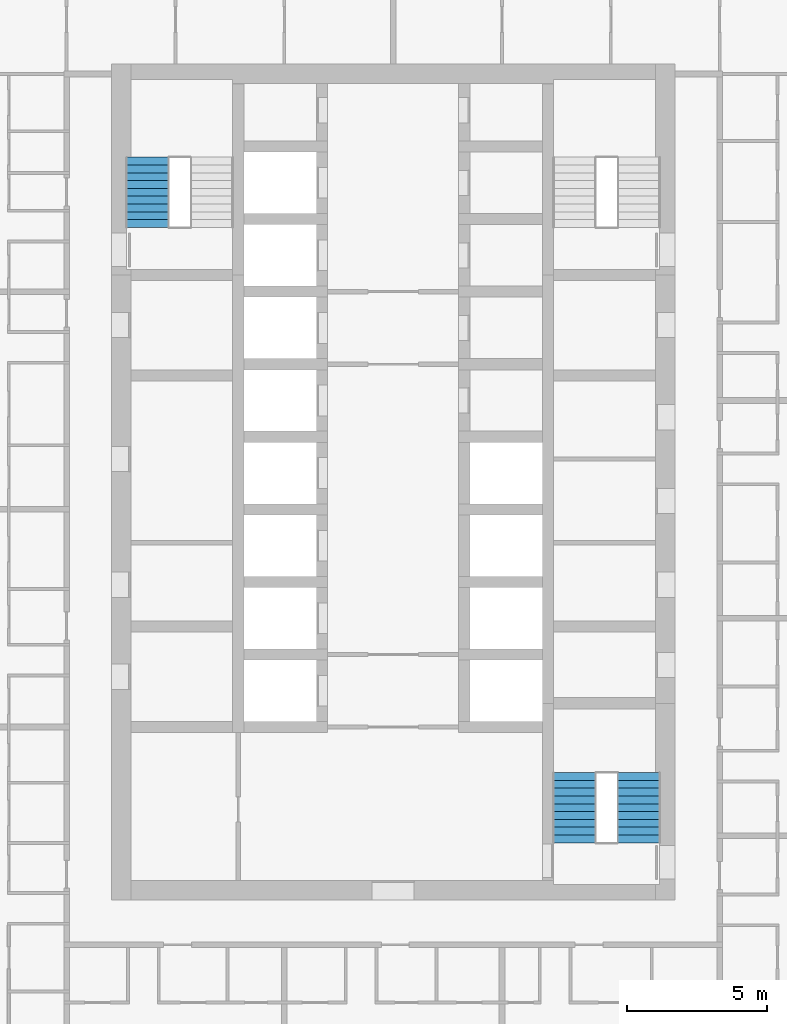
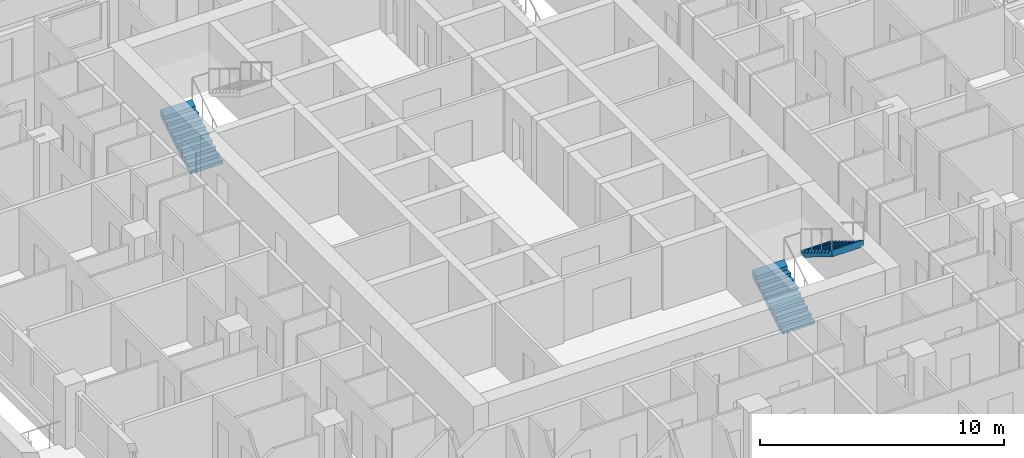
# One storey, part 15 of 19: 3 stair flights, 2 elements without a shape of their own.
"""IFC4 building model written with IfcOpenShell, lengths in metres."""

import ifcopenshell
import ifcopenshell.guid

model = None  # the IFC model being written
_history = None  # IfcOwnerHistory: only IFC2X3 demands one
_inside = {}  # id of a spatial element -> (the spatial element, [elements in it])
_under = {}  # id of a project, library or spatial element -> (it, [spatial elements below it])
_declared = {}  # id of a project -> (the project, [libraries it declares])
_typed = {}  # id of a type object -> (the type object, [elements of that type])
_made_of = {}  # id of a material, layer set ... -> (it, [elements and type objects made of it])


def new_model(schema):
    """Start an empty IFC model of exactly this schema.

    Asked for "IFC4X3", IfcOpenShell would pick the latest addendum, in which some entities
    have other attributes; the version numbers below select the first issue.
    IFC2X3 requires an IfcOwnerHistory on every rooted entity: one is made here for all.
    """
    global model, _history
    if schema == "IFC4X3":
        model = ifcopenshell.file(schema_version=(4, 3, 0, 0))
    else:
        model = ifcopenshell.file(schema=schema)
    _inside.clear()
    _under.clear()
    _declared.clear()
    _typed.clear()
    _made_of.clear()
    _history = None
    if model.schema == "IFC2X3":
        org = make("IfcOrganization", Name="unknown")
        user = make(
            "IfcPersonAndOrganization",
            ThePerson=make("IfcPerson", FamilyName="unknown"),
            TheOrganization=org,
        )
        app = make(
            "IfcApplication",
            ApplicationDeveloper=org,
            Version="unknown",
            ApplicationFullName="unknown",
            ApplicationIdentifier="unknown",
        )
        _history = make(
            "IfcOwnerHistory",
            OwningUser=user,
            OwningApplication=app,
            ChangeAction="ADDED",
            CreationDate=0,
        )
    return model


def make(cls, **values):
    """One entity of the class cls with the attributes given. An attribute that is None is left unset."""
    return model.create_entity(
        cls, **{name: value for name, value in values.items() if value is not None}
    )


def rooted(cls, **values):
    """An entity with a GlobalId (a new one), such as an element, a storey or a relation."""
    return make(cls, GlobalId=ifcopenshell.guid.new(), OwnerHistory=_history, **values)


def si_unit(unit_type, name, prefix=None):
    """IfcSIUnit, for example si_unit("LENGTHUNIT", "METRE", prefix="MILLI")."""
    return make("IfcSIUnit", UnitType=unit_type, Prefix=prefix, Name=name)


def assignment(units):
    """IfcUnitAssignment: the units of a project."""
    return None if units is None else make("IfcUnitAssignment", Units=units)


def point(xyz):
    """IfcCartesianPoint."""
    return None if xyz is None else make("IfcCartesianPoint", Coordinates=xyz)


def direction(xyz):
    """IfcDirection."""
    return None if xyz is None else make("IfcDirection", DirectionRatios=xyz)


def frame(location, z_axis=None, x_axis=None):
    """IfcAxis2Placement3D, a coordinate frame: its origin and axes. An axis left out is left unset."""
    return make(
        "IfcAxis2Placement3D",
        Location=point(location),
        Axis=direction(z_axis),
        RefDirection=direction(x_axis),
    )


def origin():
    """The frame at (0, 0, 0) with its axes left unset."""
    return frame((0.0, 0.0, 0.0))


def place(relative_to, where):
    """IfcLocalPlacement: puts the frame where relative to a parent placement (None: the world)."""
    return make(
        "IfcLocalPlacement", PlacementRelTo=relative_to, RelativePlacement=where
    )


def context(
    kind, dimensions, precision=None, world=None, true_north=None, identifier=None
):
    """IfcGeometricRepresentationContext, for example the 3D "Model" context."""
    return make(
        "IfcGeometricRepresentationContext",
        ContextIdentifier=identifier,
        ContextType=kind,
        CoordinateSpaceDimension=dimensions,
        Precision=precision,
        WorldCoordinateSystem=world,
        TrueNorth=true_north,
    )


def subcontext(parent, identifier, kind, view, scale=None):
    """IfcGeometricRepresentationSubContext, for example "Body" below "Model"."""
    return make(
        "IfcGeometricRepresentationSubContext",
        ContextIdentifier=identifier,
        ContextType=kind,
        ParentContext=parent,
        TargetScale=scale,
        TargetView=view,
    )


def project(units=None, contexts=None):
    """IfcProject with its units and contexts."""
    return rooted(
        "IfcProject",
        Name="project",
        RepresentationContexts=contexts,
        UnitsInContext=assignment(units),
    )


def spatial(cls, under=None, at=None, **own):
    """A site, building, storey or space (cls), placed at a placement, below another one or the project."""
    s = rooted(cls, ObjectPlacement=at, **own)
    if under is not None:
        _under.setdefault(under.id(), (under, []))[1].append(s)
    return s


def point_list(points):
    """IfcCartesianPointList2D or 3D."""
    cls = (
        "IfcCartesianPointList2D" if len(points[0]) == 2 else "IfcCartesianPointList3D"
    )
    return make(cls, CoordList=points)


def triangles(points, corners, closed=None, point_numbers=None):
    """IfcTriangulatedFaceSet: each triangle names its three corners, points numbered from 1."""
    return make(
        "IfcTriangulatedFaceSet",
        Coordinates=point_list(points),
        Closed=closed,
        CoordIndex=corners,
        PnIndex=point_numbers,
    )


def shape(context_of_items, identifier, shape_type, items):
    """IfcShapeRepresentation: the items that make up one representation, for example the "Body"."""
    return make(
        "IfcShapeRepresentation",
        ContextOfItems=context_of_items,
        RepresentationIdentifier=identifier,
        RepresentationType=shape_type,
        Items=items,
    )


def material(Name=None, Category=None):
    """IfcMaterial."""
    return make("IfcMaterial", Name=Name, Category=Category)


def made_of(thing, what):
    """Note that an element or type object is made of a material, layer set ...; save() writes the relation."""
    if what is not None:
        _made_of.setdefault(what.id(), (what, []))[1].append(thing)
    return thing


def type_object(cls, material=None, **own):
    """A type object (cls), such as IfcWallType, which elements share."""
    return made_of(rooted(cls, **own), material)


def element(
    cls,
    number,
    at=None,
    inside=None,
    cuts=None,
    type_object=None,
    material=None,
    context=None,
    identifier="Body",
    shape_type=None,
    held_by="IfcProductDefinitionShape",
    body=None,
    shapes=None,
    **own,
):
    """One element of the class cls, such as IfcWall. Its Tag is "e" and its number.

    at: its placement. inside: the storey or other place that contains it. cuts: it is an
    opening in that element (IfcRelVoidsElement). A single representation is given by context,
    identifier, shape_type and body (its items); several are given by shapes. held_by: the class
    of the entity that holds the representations. save() writes the other relations.
    """
    e = rooted(cls, Tag="e%d" % number, ObjectPlacement=at, **own)
    if body is not None:
        shapes = [shape(context, identifier, shape_type, body)]
    if shapes is not None:
        e.Representation = make(held_by, Representations=shapes)
    if inside is not None:
        _inside.setdefault(inside.id(), (inside, []))[1].append(e)
    if cuts is not None:
        rooted(
            "IfcRelVoidsElement", RelatingBuildingElement=cuts, RelatedOpeningElement=e
        )
    if type_object is not None:
        _typed.setdefault(type_object.id(), (type_object, []))[1].append(e)
    return made_of(e, material)


def aggregate(whole, parts):
    """IfcRelAggregates: a whole, such as a stair, and the parts it consists of."""
    return rooted("IfcRelAggregates", RelatingObject=whole, RelatedObjects=parts)


def save(model, path):
    """Write the relations noted so far, then the file.

    IfcRelAggregates (storeys below a building ...), IfcRelContainedInSpatialStructure (elements
    in a storey), IfcRelDefinesByType, IfcRelAssociatesMaterial and IfcRelDeclares: one each for
    every whole, place, type object, material and project.
    """
    for whole, parts in _under.values():
        aggregate(whole, parts)
    for where, things in _inside.values():
        rooted(
            "IfcRelContainedInSpatialStructure",
            RelatedElements=things,
            RelatingStructure=where,
        )
    for kind, things in _typed.values():
        rooted("IfcRelDefinesByType", RelatedObjects=things, RelatingType=kind)
    for what, things in _made_of.values():
        rooted("IfcRelAssociatesMaterial", RelatedObjects=things, RelatingMaterial=what)
    for by, libraries in _declared.values():
        rooted("IfcRelDeclares", RelatingContext=by, RelatedDefinitions=libraries)
    model.write(path)


model = new_model("IFC4")

# Units and contexts
model_context = context("Model", 3, precision=1e-05, world=origin(), true_north=direction((0.0, 1.0)))
body_context = subcontext(model_context, "Body", "Model", "MODEL_VIEW")
ifc_project = project(units=[si_unit("LENGTHUNIT", "METRE"), si_unit("AREAUNIT", "SQUARE_METRE"), si_unit("VOLUMEUNIT", "CUBIC_METRE"), si_unit("PLANEANGLEUNIT", "RADIAN"), si_unit("MASSUNIT", "GRAM", prefix="KILO")], contexts=[model_context])

# Site, building, storey
site_placement = place(None, origin())
site = spatial("IfcSite", under=ifc_project, at=site_placement, CompositionType="ELEMENT")
building_placement = place(site_placement, origin())
building = spatial("IfcBuilding", under=site, at=building_placement, Name="Ludao Terraces", CompositionType="ELEMENT")
storey_placement = place(building_placement, frame((0.0, 0.0, 68.199951171875)))
storey = spatial("IfcBuildingStorey", under=building, at=storey_placement, Name="L18", CompositionType="ELEMENT", Elevation=68.199951171875)

# Stair, stair flight
ifc_material = material(Name="Concrete C40", Category="concrete")
stair_type = type_object("IfcStairType", Name="INT Stair", PredefinedType="HALF_TURN_STAIR", material=ifc_material)
stair_1_placement = place(storey_placement, origin())
stair_1 = element("IfcStair", 1, at=stair_1_placement, inside=storey, type_object=stair_type, Name="EXIT STAIR 1", PredefinedType="HALF_TURN_STAIR")
stair_flight_type = type_object("IfcStairFlightType", Name="INT Stair flight", PredefinedType="STRAIGHT", material=ifc_material)
stair_flight_1_placement = place(storey_placement, frame((76.199951171875, 79.0, 0.0), z_axis=(0.0, 0.0, 1.0), x_axis=(0.0, 1.0, 0.0)))
stair_flight_1 = element("IfcStairFlight", 2, at=stair_flight_1_placement, type_object=stair_flight_type, Name="ST1 flight 1", NumberOfRisers=10, NumberOfTreads=9, PredefinedType="STRAIGHT", RiserHeight=0.17, TreadLength=0.28, context=body_context, shape_type="Tessellation", body=[
    triangles([(0.0, -0.75, 0.0), (0.0, -0.5, 0.0), (0.0, -0.25, 0.0), (0.0, 0.0, 0.0), (0.0, 0.25, 0.0), (0.0, 0.5, 0.0), (0.0, 0.75, 0.0), (0.0, -0.75, 0.169921875), (0.0, -0.5, 0.169921875), (0.0, -0.25, 0.169921875), (0.0, 0.0, 0.169921875), (0.0, 0.25, 0.169921875), (0.0, 0.5, 0.169921875), (0.0, 0.75, 0.169921875), (0.280029296875, -0.75, 0.169921875), (0.280029296875, -0.5, 0.169921875), (0.280029296875, -0.25, 0.169921875), (0.280029296875, 0.0, 0.169921875), (0.280029296875, 0.25, 0.169921875), (0.280029296875, 0.5, 0.169921875), (0.280029296875, 0.75, 0.169921875), (0.280029296875, -0.75, 0.340087890625), (0.280029296875, -0.5, 0.340087890625), (0.280029296875, -0.25, 0.340087890625), (0.280029296875, 0.0, 0.340087890625), (0.280029296875, 0.25, 0.340087890625), (0.280029296875, 0.5, 0.340087890625), (0.280029296875, 0.75, 0.340087890625), (0.56005859375, -0.75, 0.340087890625), (0.56005859375, -0.5, 0.340087890625), (0.56005859375, -0.25, 0.340087890625), (0.56005859375, 0.0, 0.340087890625), (0.56005859375, 0.25, 0.340087890625), (0.56005859375, 0.5, 0.340087890625), (0.56005859375, 0.75, 0.340087890625), (0.56005859375, -0.75, 0.510009765625), (0.56005859375, -0.5, 0.510009765625), (0.56005859375, -0.25, 0.510009765625), (0.56005859375, 0.0, 0.510009765625), (0.56005859375, 0.25, 0.510009765625), (0.56005859375, 0.5, 0.510009765625), (0.56005859375, 0.75, 0.510009765625), (0.840087890625, -0.75, 0.510009765625), (0.840087890625, -0.5, 0.510009765625), (0.840087890625, -0.25, 0.510009765625), (0.840087890625, 0.0, 0.510009765625), (0.840087890625, 0.25, 0.510009765625), (0.840087890625, 0.5, 0.510009765625), (0.840087890625, 0.75, 0.510009765625), (0.840087890625, -0.75, 0.679931640625), (0.840087890625, -0.5, 0.679931640625), (0.840087890625, -0.25, 0.679931640625), (0.840087890625, 0.0, 0.679931640625), (0.840087890625, 0.25, 0.679931640625), (0.840087890625, 0.5, 0.679931640625), (0.840087890625, 0.75, 0.679931640625), (1.1201171875, -0.75, 0.679931640625), (1.1201171875, -0.5, 0.679931640625), (1.1201171875, -0.25, 0.679931640625), (1.1201171875, 0.0, 0.679931640625), (1.1201171875, 0.25, 0.679931640625), (1.1201171875, 0.5, 0.679931640625), (1.1201171875, 0.75, 0.679931640625), (1.1201171875, -0.75, 0.85009765625), (1.1201171875, -0.5, 0.85009765625), (1.1201171875, -0.25, 0.85009765625), (1.1201171875, 0.0, 0.85009765625), (1.1201171875, 0.25, 0.85009765625), (1.1201171875, 0.5, 0.85009765625), (1.1201171875, 0.75, 0.85009765625), (1.39990234375, -0.75, 0.85009765625), (1.39990234375, -0.5, 0.85009765625), (1.39990234375, -0.25, 0.85009765625), (1.39990234375, 0.0, 0.85009765625), (1.39990234375, 0.25, 0.85009765625), (1.39990234375, 0.5, 0.85009765625), (1.39990234375, 0.75, 0.85009765625), (1.39990234375, -0.75, 1.02001953125), (1.39990234375, -0.5, 1.02001953125), (1.39990234375, -0.25, 1.02001953125), (1.39990234375, 0.0, 1.02001953125), (1.39990234375, 0.25, 1.02001953125), (1.39990234375, 0.5, 1.02001953125), (1.39990234375, 0.75, 1.02001953125), (1.679931640625, -0.75, 1.02001953125), (1.679931640625, -0.5, 1.02001953125), (1.679931640625, -0.25, 1.02001953125), (1.679931640625, 0.0, 1.02001953125), (1.679931640625, 0.25, 1.02001953125), (1.679931640625, 0.5, 1.02001953125), (1.679931640625, 0.75, 1.02001953125), (1.679931640625, -0.75, 1.18994140625), (1.679931640625, -0.5, 1.18994140625), (1.679931640625, -0.25, 1.18994140625), (1.679931640625, 0.0, 1.18994140625), (1.679931640625, 0.25, 1.18994140625), (1.679931640625, 0.5, 1.18994140625), (1.679931640625, 0.75, 1.18994140625), (1.9599609375, -0.75, 1.18994140625), (1.9599609375, -0.5, 1.18994140625), (1.9599609375, -0.25, 1.18994140625), (1.9599609375, 0.0, 1.18994140625), (1.9599609375, 0.25, 1.18994140625), (1.9599609375, 0.5, 1.18994140625), (1.9599609375, 0.75, 1.18994140625), (1.9599609375, -0.75, 1.360107421875), (1.9599609375, -0.5, 1.360107421875), (1.9599609375, -0.25, 1.360107421875), (1.9599609375, 0.0, 1.360107421875), (1.9599609375, 0.25, 1.360107421875), (1.9599609375, 0.5, 1.360107421875), (1.9599609375, 0.75, 1.360107421875), (2.239990234375, -0.75, 1.360107421875), (2.239990234375, -0.5, 1.360107421875), (2.239990234375, -0.25, 1.360107421875), (2.239990234375, 0.0, 1.360107421875), (2.239990234375, 0.25, 1.360107421875), (2.239990234375, 0.5, 1.360107421875), (2.239990234375, 0.75, 1.360107421875), (2.239990234375, -0.75, 1.530029296875), (2.239990234375, -0.5, 1.530029296875), (2.239990234375, -0.25, 1.530029296875), (2.239990234375, 0.0, 1.530029296875), (2.239990234375, 0.25, 1.530029296875), (2.239990234375, 0.5, 1.530029296875), (2.239990234375, 0.75, 1.530029296875), (2.52001953125, -0.75, 1.699951171875), (2.52001953125, -0.5, 1.699951171875), (2.52001953125, -0.25, 1.699951171875), (2.52001953125, 0.0, 1.699951171875), (2.52001953125, 0.25, 1.699951171875), (2.52001953125, 0.5, 1.699951171875), (2.52001953125, 0.75, 1.699951171875), (2.52001953125, -0.75, 1.354736328125), (2.52001953125, -0.5, 1.354736328125), (2.52001953125, -0.25, 1.354736328125), (2.52001953125, 0.0, 1.354736328125), (2.52001953125, 0.25, 1.354736328125), (2.52001953125, 0.5, 1.354736328125), (2.52001953125, 0.75, 1.354736328125), (0.288818359375, -0.75, 0.0), (0.288818359375, -0.5, 0.0), (0.288818359375, -0.25, 0.0), (0.288818359375, 0.0, 0.0), (0.288818359375, 0.25, 0.0), (0.288818359375, 0.5, 0.0), (0.288818359375, 0.75, 0.0)], [[1, 141, 134], [7, 140, 147], [134, 127, 120], [140, 126, 133], [134, 120, 113], [140, 119, 126], [134, 113, 106], [140, 112, 119], [134, 106, 99], [140, 105, 112], [99, 92, 85], [105, 91, 98], [134, 99, 85], [140, 91, 105], [85, 78, 71], [91, 77, 84], [134, 85, 71], [140, 77, 91], [71, 64, 57], [77, 63, 70], [134, 71, 57], [140, 63, 77], [57, 50, 43], [63, 49, 56], [134, 57, 43], [140, 49, 63], [43, 36, 29], [49, 35, 42], [134, 43, 29], [140, 35, 49], [29, 22, 15], [35, 21, 28], [134, 29, 15], [140, 21, 35], [1, 134, 15], [7, 21, 140], [15, 8, 1], [21, 7, 14], [1, 9, 2], [1, 8, 9], [2, 10, 3], [2, 9, 10], [3, 11, 4], [3, 10, 11], [4, 12, 5], [4, 11, 12], [5, 13, 6], [5, 12, 13], [6, 14, 7], [6, 13, 14], [8, 16, 9], [8, 15, 16], [9, 17, 10], [9, 16, 17], [10, 18, 11], [10, 17, 18], [11, 19, 12], [11, 18, 19], [12, 20, 13], [12, 19, 20], [13, 21, 14], [13, 20, 21], [15, 23, 16], [15, 22, 23], [16, 24, 17], [16, 23, 24], [17, 25, 18], [17, 24, 25], [18, 26, 19], [18, 25, 26], [19, 27, 20], [19, 26, 27], [20, 28, 21], [20, 27, 28], [22, 30, 23], [22, 29, 30], [23, 31, 24], [23, 30, 31], [24, 32, 25], [24, 31, 32], [25, 33, 26], [25, 32, 33], [26, 34, 27], [26, 33, 34], [27, 35, 28], [27, 34, 35], [29, 37, 30], [29, 36, 37], [30, 38, 31], [30, 37, 38], [31, 39, 32], [31, 38, 39], [32, 40, 33], [32, 39, 40], [33, 41, 34], [33, 40, 41], [34, 42, 35], [34, 41, 42], [36, 44, 37], [36, 43, 44], [37, 45, 38], [37, 44, 45], [38, 46, 39], [38, 45, 46], [39, 47, 40], [39, 46, 47], [40, 48, 41], [40, 47, 48], [41, 49, 42], [41, 48, 49], [43, 51, 44], [43, 50, 51], [44, 52, 45], [44, 51, 52], [45, 53, 46], [45, 52, 53], [46, 54, 47], [46, 53, 54], [47, 55, 48], [47, 54, 55], [48, 56, 49], [48, 55, 56], [50, 58, 51], [50, 57, 58], [51, 59, 52], [51, 58, 59], [52, 60, 53], [52, 59, 60], [53, 61, 54], [53, 60, 61], [54, 62, 55], [54, 61, 62], [55, 63, 56], [55, 62, 63], [57, 65, 58], [57, 64, 65], [58, 66, 59], [58, 65, 66], [59, 67, 60], [59, 66, 67], [60, 68, 61], [60, 67, 68], [61, 69, 62], [61, 68, 69], [62, 70, 63], [62, 69, 70], [64, 72, 65], [64, 71, 72], [65, 73, 66], [65, 72, 73], [66, 74, 67], [66, 73, 74], [67, 75, 68], [67, 74, 75], [68, 76, 69], [68, 75, 76], [69, 77, 70], [69, 76, 77], [71, 79, 72], [71, 78, 79], [72, 80, 73], [72, 79, 80], [73, 81, 74], [73, 80, 81], [74, 82, 75], [74, 81, 82], [75, 83, 76], [75, 82, 83], [76, 84, 77], [76, 83, 84], [78, 86, 79], [78, 85, 86], [79, 87, 80], [79, 86, 87], [80, 88, 81], [80, 87, 88], [81, 89, 82], [81, 88, 89], [82, 90, 83], [82, 89, 90], [83, 91, 84], [83, 90, 91], [85, 93, 86], [85, 92, 93], [86, 94, 87], [86, 93, 94], [87, 95, 88], [87, 94, 95], [88, 96, 89], [88, 95, 96], [89, 97, 90], [89, 96, 97], [90, 98, 91], [90, 97, 98], [92, 100, 93], [92, 99, 100], [93, 101, 94], [93, 100, 101], [94, 102, 95], [94, 101, 102], [95, 103, 96], [95, 102, 103], [96, 104, 97], [96, 103, 104], [97, 105, 98], [97, 104, 105], [99, 107, 100], [99, 106, 107], [100, 108, 101], [100, 107, 108], [101, 109, 102], [101, 108, 109], [102, 110, 103], [102, 109, 110], [103, 111, 104], [103, 110, 111], [104, 112, 105], [104, 111, 112], [106, 114, 107], [106, 113, 114], [107, 115, 108], [107, 114, 115], [108, 116, 109], [108, 115, 116], [109, 117, 110], [109, 116, 117], [110, 118, 111], [110, 117, 118], [111, 119, 112], [111, 118, 119], [113, 121, 114], [113, 120, 121], [114, 122, 115], [114, 121, 122], [115, 123, 116], [115, 122, 123], [116, 124, 117], [116, 123, 124], [117, 125, 118], [117, 124, 125], [118, 126, 119], [118, 125, 126], [120, 128, 121], [120, 127, 128], [121, 129, 122], [121, 128, 129], [122, 130, 123], [122, 129, 130], [123, 131, 124], [123, 130, 131], [124, 132, 125], [124, 131, 132], [125, 133, 126], [125, 132, 133], [127, 135, 128], [127, 134, 135], [128, 136, 129], [128, 135, 136], [129, 137, 130], [129, 136, 137], [130, 138, 131], [130, 137, 138], [131, 139, 132], [131, 138, 139], [132, 140, 133], [132, 139, 140], [134, 142, 135], [134, 141, 142], [135, 143, 136], [135, 142, 143], [136, 144, 137], [136, 143, 144], [137, 145, 138], [137, 144, 145], [138, 146, 139], [138, 145, 146], [139, 147, 140], [139, 146, 147], [141, 2, 142], [141, 1, 2], [142, 3, 143], [142, 2, 3], [143, 4, 144], [143, 3, 4], [144, 5, 145], [144, 4, 5], [145, 6, 146], [145, 5, 6], [146, 7, 147], [146, 6, 7]], closed=True),
])
aggregate(stair_1, [stair_flight_1])

# Stair, stair flights
stair_2_placement = place(storey_placement, origin())
stair_2 = element("IfcStair", 3, at=stair_2_placement, inside=storey, type_object=stair_type, Name="EXIT STAIR 3", PredefinedType="HALF_TURN_STAIR")
stair_flight_2_placement = place(storey_placement, frame((91.5, 56.949951171875, 0.0), z_axis=(0.0, 0.0, 1.0), x_axis=(0.0, 1.0, 0.0)))
stair_flight_2 = element("IfcStairFlight", 4, at=stair_flight_2_placement, type_object=stair_flight_type, Name="ST3 flight 1", NumberOfRisers=10, NumberOfTreads=9, PredefinedType="STRAIGHT", RiserHeight=0.17, TreadLength=0.28, context=body_context, shape_type="Tessellation", body=[
    triangles([(0.0, -0.75, 0.0), (0.0, -0.5, 0.0), (0.0, -0.25, 0.0), (0.0, 0.0, 0.0), (0.0, 0.25, 0.0), (0.0, 0.5, 0.0), (0.0, 0.75, 0.0), (0.0, -0.75, 0.169921875), (0.0, -0.5, 0.169921875), (0.0, -0.25, 0.169921875), (0.0, 0.0, 0.169921875), (0.0, 0.25, 0.169921875), (0.0, 0.5, 0.169921875), (0.0, 0.75, 0.169921875), (0.280029296875, -0.75, 0.169921875), (0.280029296875, -0.5, 0.169921875), (0.280029296875, -0.25, 0.169921875), (0.280029296875, 0.0, 0.169921875), (0.280029296875, 0.25, 0.169921875), (0.280029296875, 0.5, 0.169921875), (0.280029296875, 0.75, 0.169921875), (0.280029296875, -0.75, 0.340087890625), (0.280029296875, -0.5, 0.340087890625), (0.280029296875, -0.25, 0.340087890625), (0.280029296875, 0.0, 0.340087890625), (0.280029296875, 0.25, 0.340087890625), (0.280029296875, 0.5, 0.340087890625), (0.280029296875, 0.75, 0.340087890625), (0.56005859375, -0.75, 0.340087890625), (0.56005859375, -0.5, 0.340087890625), (0.56005859375, -0.25, 0.340087890625), (0.56005859375, 0.0, 0.340087890625), (0.56005859375, 0.25, 0.340087890625), (0.56005859375, 0.5, 0.340087890625), (0.56005859375, 0.75, 0.340087890625), (0.56005859375, -0.75, 0.510009765625), (0.56005859375, -0.5, 0.510009765625), (0.56005859375, -0.25, 0.510009765625), (0.56005859375, 0.0, 0.510009765625), (0.56005859375, 0.25, 0.510009765625), (0.56005859375, 0.5, 0.510009765625), (0.56005859375, 0.75, 0.510009765625), (0.840087890625, -0.75, 0.510009765625), (0.840087890625, -0.5, 0.510009765625), (0.840087890625, -0.25, 0.510009765625), (0.840087890625, 0.0, 0.510009765625), (0.840087890625, 0.25, 0.510009765625), (0.840087890625, 0.5, 0.510009765625), (0.840087890625, 0.75, 0.510009765625), (0.840087890625, -0.75, 0.679931640625), (0.840087890625, -0.5, 0.679931640625), (0.840087890625, -0.25, 0.679931640625), (0.840087890625, 0.0, 0.679931640625), (0.840087890625, 0.25, 0.679931640625), (0.840087890625, 0.5, 0.679931640625), (0.840087890625, 0.75, 0.679931640625), (1.1201171875, -0.75, 0.679931640625), (1.1201171875, -0.5, 0.679931640625), (1.1201171875, -0.25, 0.679931640625), (1.1201171875, 0.0, 0.679931640625), (1.1201171875, 0.25, 0.679931640625), (1.1201171875, 0.5, 0.679931640625), (1.1201171875, 0.75, 0.679931640625), (1.1201171875, -0.75, 0.85009765625), (1.1201171875, -0.5, 0.85009765625), (1.1201171875, -0.25, 0.85009765625), (1.1201171875, 0.0, 0.85009765625), (1.1201171875, 0.25, 0.85009765625), (1.1201171875, 0.5, 0.85009765625), (1.1201171875, 0.75, 0.85009765625), (1.39990234375, -0.75, 0.85009765625), (1.39990234375, -0.5, 0.85009765625), (1.39990234375, -0.25, 0.85009765625), (1.39990234375, 0.0, 0.85009765625), (1.39990234375, 0.25, 0.85009765625), (1.39990234375, 0.5, 0.85009765625), (1.39990234375, 0.75, 0.85009765625), (1.39990234375, -0.75, 1.02001953125), (1.39990234375, -0.5, 1.02001953125), (1.39990234375, -0.25, 1.02001953125), (1.39990234375, 0.0, 1.02001953125), (1.39990234375, 0.25, 1.02001953125), (1.39990234375, 0.5, 1.02001953125), (1.39990234375, 0.75, 1.02001953125), (1.679931640625, -0.75, 1.02001953125), (1.679931640625, -0.5, 1.02001953125), (1.679931640625, -0.25, 1.02001953125), (1.679931640625, 0.0, 1.02001953125), (1.679931640625, 0.25, 1.02001953125), (1.679931640625, 0.5, 1.02001953125), (1.679931640625, 0.75, 1.02001953125), (1.679931640625, -0.75, 1.18994140625), (1.679931640625, -0.5, 1.18994140625), (1.679931640625, -0.25, 1.18994140625), (1.679931640625, 0.0, 1.18994140625), (1.679931640625, 0.25, 1.18994140625), (1.679931640625, 0.5, 1.18994140625), (1.679931640625, 0.75, 1.18994140625), (1.9599609375, -0.75, 1.18994140625), (1.9599609375, -0.5, 1.18994140625), (1.9599609375, -0.25, 1.18994140625), (1.9599609375, 0.0, 1.18994140625), (1.9599609375, 0.25, 1.18994140625), (1.9599609375, 0.5, 1.18994140625), (1.9599609375, 0.75, 1.18994140625), (1.9599609375, -0.75, 1.360107421875), (1.9599609375, -0.5, 1.360107421875), (1.9599609375, -0.25, 1.360107421875), (1.9599609375, 0.0, 1.360107421875), (1.9599609375, 0.25, 1.360107421875), (1.9599609375, 0.5, 1.360107421875), (1.9599609375, 0.75, 1.360107421875), (2.239990234375, -0.75, 1.360107421875), (2.239990234375, -0.5, 1.360107421875), (2.239990234375, -0.25, 1.360107421875), (2.239990234375, 0.0, 1.360107421875), (2.239990234375, 0.25, 1.360107421875), (2.239990234375, 0.5, 1.360107421875), (2.239990234375, 0.75, 1.360107421875), (2.239990234375, -0.75, 1.530029296875), (2.239990234375, -0.5, 1.530029296875), (2.239990234375, -0.25, 1.530029296875), (2.239990234375, 0.0, 1.530029296875), (2.239990234375, 0.25, 1.530029296875), (2.239990234375, 0.5, 1.530029296875), (2.239990234375, 0.75, 1.530029296875), (2.52001953125, -0.75, 1.699951171875), (2.52001953125, -0.5, 1.699951171875), (2.52001953125, -0.25, 1.699951171875), (2.52001953125, 0.0, 1.699951171875), (2.52001953125, 0.25, 1.699951171875), (2.52001953125, 0.5, 1.699951171875), (2.52001953125, 0.75, 1.699951171875), (2.52001953125, -0.75, 1.354736328125), (2.52001953125, -0.5, 1.354736328125), (2.52001953125, -0.25, 1.354736328125), (2.52001953125, 0.0, 1.354736328125), (2.52001953125, 0.25, 1.354736328125), (2.52001953125, 0.5, 1.354736328125), (2.52001953125, 0.75, 1.354736328125), (0.288818359375, -0.75, 0.0), (0.288818359375, -0.5, 0.0), (0.288818359375, -0.25, 0.0), (0.288818359375, 0.0, 0.0), (0.288818359375, 0.25, 0.0), (0.288818359375, 0.5, 0.0), (0.288818359375, 0.75, 0.0)], [[1, 141, 134], [7, 140, 147], [134, 127, 120], [140, 126, 133], [134, 120, 113], [140, 119, 126], [134, 113, 106], [140, 112, 119], [134, 106, 99], [140, 105, 112], [99, 92, 85], [105, 91, 98], [134, 99, 85], [140, 91, 105], [85, 78, 71], [91, 77, 84], [134, 85, 71], [140, 77, 91], [71, 64, 57], [77, 63, 70], [134, 71, 57], [140, 63, 77], [57, 50, 43], [63, 49, 56], [134, 57, 43], [140, 49, 63], [43, 36, 29], [49, 35, 42], [134, 43, 29], [140, 35, 49], [29, 22, 15], [35, 21, 28], [134, 29, 15], [140, 21, 35], [1, 134, 15], [7, 21, 140], [15, 8, 1], [21, 7, 14], [1, 9, 2], [1, 8, 9], [2, 10, 3], [2, 9, 10], [3, 11, 4], [3, 10, 11], [4, 12, 5], [4, 11, 12], [5, 13, 6], [5, 12, 13], [6, 14, 7], [6, 13, 14], [8, 16, 9], [8, 15, 16], [9, 17, 10], [9, 16, 17], [10, 18, 11], [10, 17, 18], [11, 19, 12], [11, 18, 19], [12, 20, 13], [12, 19, 20], [13, 21, 14], [13, 20, 21], [15, 23, 16], [15, 22, 23], [16, 24, 17], [16, 23, 24], [17, 25, 18], [17, 24, 25], [18, 26, 19], [18, 25, 26], [19, 27, 20], [19, 26, 27], [20, 28, 21], [20, 27, 28], [22, 30, 23], [22, 29, 30], [23, 31, 24], [23, 30, 31], [24, 32, 25], [24, 31, 32], [25, 33, 26], [25, 32, 33], [26, 34, 27], [26, 33, 34], [27, 35, 28], [27, 34, 35], [29, 37, 30], [29, 36, 37], [30, 38, 31], [30, 37, 38], [31, 39, 32], [31, 38, 39], [32, 40, 33], [32, 39, 40], [33, 41, 34], [33, 40, 41], [34, 42, 35], [34, 41, 42], [36, 44, 37], [36, 43, 44], [37, 45, 38], [37, 44, 45], [38, 46, 39], [38, 45, 46], [39, 47, 40], [39, 46, 47], [40, 48, 41], [40, 47, 48], [41, 49, 42], [41, 48, 49], [43, 51, 44], [43, 50, 51], [44, 52, 45], [44, 51, 52], [45, 53, 46], [45, 52, 53], [46, 54, 47], [46, 53, 54], [47, 55, 48], [47, 54, 55], [48, 56, 49], [48, 55, 56], [50, 58, 51], [50, 57, 58], [51, 59, 52], [51, 58, 59], [52, 60, 53], [52, 59, 60], [53, 61, 54], [53, 60, 61], [54, 62, 55], [54, 61, 62], [55, 63, 56], [55, 62, 63], [57, 65, 58], [57, 64, 65], [58, 66, 59], [58, 65, 66], [59, 67, 60], [59, 66, 67], [60, 68, 61], [60, 67, 68], [61, 69, 62], [61, 68, 69], [62, 70, 63], [62, 69, 70], [64, 72, 65], [64, 71, 72], [65, 73, 66], [65, 72, 73], [66, 74, 67], [66, 73, 74], [67, 75, 68], [67, 74, 75], [68, 76, 69], [68, 75, 76], [69, 77, 70], [69, 76, 77], [71, 79, 72], [71, 78, 79], [72, 80, 73], [72, 79, 80], [73, 81, 74], [73, 80, 81], [74, 82, 75], [74, 81, 82], [75, 83, 76], [75, 82, 83], [76, 84, 77], [76, 83, 84], [78, 86, 79], [78, 85, 86], [79, 87, 80], [79, 86, 87], [80, 88, 81], [80, 87, 88], [81, 89, 82], [81, 88, 89], [82, 90, 83], [82, 89, 90], [83, 91, 84], [83, 90, 91], [85, 93, 86], [85, 92, 93], [86, 94, 87], [86, 93, 94], [87, 95, 88], [87, 94, 95], [88, 96, 89], [88, 95, 96], [89, 97, 90], [89, 96, 97], [90, 98, 91], [90, 97, 98], [92, 100, 93], [92, 99, 100], [93, 101, 94], [93, 100, 101], [94, 102, 95], [94, 101, 102], [95, 103, 96], [95, 102, 103], [96, 104, 97], [96, 103, 104], [97, 105, 98], [97, 104, 105], [99, 107, 100], [99, 106, 107], [100, 108, 101], [100, 107, 108], [101, 109, 102], [101, 108, 109], [102, 110, 103], [102, 109, 110], [103, 111, 104], [103, 110, 111], [104, 112, 105], [104, 111, 112], [106, 114, 107], [106, 113, 114], [107, 115, 108], [107, 114, 115], [108, 116, 109], [108, 115, 116], [109, 117, 110], [109, 116, 117], [110, 118, 111], [110, 117, 118], [111, 119, 112], [111, 118, 119], [113, 121, 114], [113, 120, 121], [114, 122, 115], [114, 121, 122], [115, 123, 116], [115, 122, 123], [116, 124, 117], [116, 123, 124], [117, 125, 118], [117, 124, 125], [118, 126, 119], [118, 125, 126], [120, 128, 121], [120, 127, 128], [121, 129, 122], [121, 128, 129], [122, 130, 123], [122, 129, 130], [123, 131, 124], [123, 130, 131], [124, 132, 125], [124, 131, 132], [125, 133, 126], [125, 132, 133], [127, 135, 128], [127, 134, 135], [128, 136, 129], [128, 135, 136], [129, 137, 130], [129, 136, 137], [130, 138, 131], [130, 137, 138], [131, 139, 132], [131, 138, 139], [132, 140, 133], [132, 139, 140], [134, 142, 135], [134, 141, 142], [135, 143, 136], [135, 142, 143], [136, 144, 137], [136, 143, 144], [137, 145, 138], [137, 144, 145], [138, 146, 139], [138, 145, 146], [139, 147, 140], [139, 146, 147], [141, 2, 142], [141, 1, 2], [142, 3, 143], [142, 2, 3], [143, 4, 144], [143, 3, 4], [144, 5, 145], [144, 4, 5], [145, 6, 146], [145, 5, 6], [146, 7, 147], [146, 6, 7]], closed=True),
])
stair_flight_3_placement = place(storey_placement, frame((93.800048828125, 59.469970703125, 1.699951171875), z_axis=(0.0, 0.0, 1.0), x_axis=(0.0, -1.0, 0.0)))
stair_flight_3 = element("IfcStairFlight", 5, at=stair_flight_3_placement, type_object=stair_flight_type, Name="ST3 flight 2", NumberOfRisers=10, NumberOfTreads=9, PredefinedType="STRAIGHT", RiserHeight=0.17, TreadLength=0.28, context=body_context, shape_type="Tessellation", body=[
    triangles([(0.0, -0.75, 0.0), (0.0, -0.5, 0.0), (0.0, -0.25, 0.0), (0.0, 0.0, 0.0), (0.0, 0.25, 0.0), (0.0, 0.5, 0.0), (0.0, 0.75, 0.0), (0.0, -0.75, 0.169921875), (0.0, -0.5, 0.169921875), (0.0, -0.25, 0.169921875), (0.0, 0.0, 0.169921875), (0.0, 0.25, 0.169921875), (0.0, 0.5, 0.169921875), (0.0, 0.75, 0.169921875), (0.280029296875, -0.75, 0.169921875), (0.280029296875, -0.5, 0.169921875), (0.280029296875, -0.25, 0.169921875), (0.280029296875, 0.0, 0.169921875), (0.280029296875, 0.25, 0.169921875), (0.280029296875, 0.5, 0.169921875), (0.280029296875, 0.75, 0.169921875), (0.280029296875, -0.75, 0.340087890625), (0.280029296875, -0.5, 0.340087890625), (0.280029296875, -0.25, 0.340087890625), (0.280029296875, 0.0, 0.340087890625), (0.280029296875, 0.25, 0.340087890625), (0.280029296875, 0.5, 0.340087890625), (0.280029296875, 0.75, 0.340087890625), (0.56005859375, -0.75, 0.340087890625), (0.56005859375, -0.5, 0.340087890625), (0.56005859375, -0.25, 0.340087890625), (0.56005859375, 0.0, 0.340087890625), (0.56005859375, 0.25, 0.340087890625), (0.56005859375, 0.5, 0.340087890625), (0.56005859375, 0.75, 0.340087890625), (0.56005859375, -0.75, 0.510009765625), (0.56005859375, -0.5, 0.510009765625), (0.56005859375, -0.25, 0.510009765625), (0.56005859375, 0.0, 0.510009765625), (0.56005859375, 0.25, 0.510009765625), (0.56005859375, 0.5, 0.510009765625), (0.56005859375, 0.75, 0.510009765625), (0.840087890625, -0.75, 0.510009765625), (0.840087890625, -0.5, 0.510009765625), (0.840087890625, -0.25, 0.510009765625), (0.840087890625, 0.0, 0.510009765625), (0.840087890625, 0.25, 0.510009765625), (0.840087890625, 0.5, 0.510009765625), (0.840087890625, 0.75, 0.510009765625), (0.840087890625, -0.75, 0.679931640625), (0.840087890625, -0.5, 0.679931640625), (0.840087890625, -0.25, 0.679931640625), (0.840087890625, 0.0, 0.679931640625), (0.840087890625, 0.25, 0.679931640625), (0.840087890625, 0.5, 0.679931640625), (0.840087890625, 0.75, 0.679931640625), (1.1201171875, -0.75, 0.679931640625), (1.1201171875, -0.5, 0.679931640625), (1.1201171875, -0.25, 0.679931640625), (1.1201171875, 0.0, 0.679931640625), (1.1201171875, 0.25, 0.679931640625), (1.1201171875, 0.5, 0.679931640625), (1.1201171875, 0.75, 0.679931640625), (1.1201171875, -0.75, 0.85009765625), (1.1201171875, -0.5, 0.85009765625), (1.1201171875, -0.25, 0.85009765625), (1.1201171875, 0.0, 0.85009765625), (1.1201171875, 0.25, 0.85009765625), (1.1201171875, 0.5, 0.85009765625), (1.1201171875, 0.75, 0.85009765625), (1.39990234375, -0.75, 0.85009765625), (1.39990234375, -0.5, 0.85009765625), (1.39990234375, -0.25, 0.85009765625), (1.39990234375, 0.0, 0.85009765625), (1.39990234375, 0.25, 0.85009765625), (1.39990234375, 0.5, 0.85009765625), (1.39990234375, 0.75, 0.85009765625), (1.39990234375, -0.75, 1.02001953125), (1.39990234375, -0.5, 1.02001953125), (1.39990234375, -0.25, 1.02001953125), (1.39990234375, 0.0, 1.02001953125), (1.39990234375, 0.25, 1.02001953125), (1.39990234375, 0.5, 1.02001953125), (1.39990234375, 0.75, 1.02001953125), (1.679931640625, -0.75, 1.02001953125), (1.679931640625, -0.5, 1.02001953125), (1.679931640625, -0.25, 1.02001953125), (1.679931640625, 0.0, 1.02001953125), (1.679931640625, 0.25, 1.02001953125), (1.679931640625, 0.5, 1.02001953125), (1.679931640625, 0.75, 1.02001953125), (1.679931640625, -0.75, 1.18994140625), (1.679931640625, -0.5, 1.18994140625), (1.679931640625, -0.25, 1.18994140625), (1.679931640625, 0.0, 1.18994140625), (1.679931640625, 0.25, 1.18994140625), (1.679931640625, 0.5, 1.18994140625), (1.679931640625, 0.75, 1.18994140625), (1.9599609375, -0.75, 1.18994140625), (1.9599609375, -0.5, 1.18994140625), (1.9599609375, -0.25, 1.18994140625), (1.9599609375, 0.0, 1.18994140625), (1.9599609375, 0.25, 1.18994140625), (1.9599609375, 0.5, 1.18994140625), (1.9599609375, 0.75, 1.18994140625), (1.9599609375, -0.75, 1.360107421875), (1.9599609375, -0.5, 1.360107421875), (1.9599609375, -0.25, 1.360107421875), (1.9599609375, 0.0, 1.360107421875), (1.9599609375, 0.25, 1.360107421875), (1.9599609375, 0.5, 1.360107421875), (1.9599609375, 0.75, 1.360107421875), (2.239990234375, -0.75, 1.360107421875), (2.239990234375, -0.5, 1.360107421875), (2.239990234375, -0.25, 1.360107421875), (2.239990234375, 0.0, 1.360107421875), (2.239990234375, 0.25, 1.360107421875), (2.239990234375, 0.5, 1.360107421875), (2.239990234375, 0.75, 1.360107421875), (2.239990234375, -0.75, 1.530029296875), (2.239990234375, -0.5, 1.530029296875), (2.239990234375, -0.25, 1.530029296875), (2.239990234375, 0.0, 1.530029296875), (2.239990234375, 0.25, 1.530029296875), (2.239990234375, 0.5, 1.530029296875), (2.239990234375, 0.75, 1.530029296875), (2.52001953125, -0.75, 1.699951171875), (2.52001953125, -0.5, 1.699951171875), (2.52001953125, -0.25, 1.699951171875), (2.52001953125, 0.0, 1.699951171875), (2.52001953125, 0.25, 1.699951171875), (2.52001953125, 0.5, 1.699951171875), (2.52001953125, 0.75, 1.699951171875), (2.52001953125, -0.75, 1.354736328125), (2.52001953125, -0.5, 1.354736328125), (2.52001953125, -0.25, 1.354736328125), (2.52001953125, 0.0, 1.354736328125), (2.52001953125, 0.25, 1.354736328125), (2.52001953125, 0.5, 1.354736328125), (2.52001953125, 0.75, 1.354736328125), (0.288818359375, -0.75, 0.0), (0.288818359375, -0.5, 0.0), (0.288818359375, -0.25, 0.0), (0.288818359375, 0.0, 0.0), (0.288818359375, 0.25, 0.0), (0.288818359375, 0.5, 0.0), (0.288818359375, 0.75, 0.0)], [[1, 141, 134], [7, 140, 147], [134, 127, 120], [140, 126, 133], [134, 120, 113], [140, 119, 126], [134, 113, 106], [140, 112, 119], [134, 106, 99], [140, 105, 112], [99, 92, 85], [105, 91, 98], [134, 99, 85], [140, 91, 105], [85, 78, 71], [91, 77, 84], [134, 85, 71], [140, 77, 91], [71, 64, 57], [77, 63, 70], [134, 71, 57], [140, 63, 77], [57, 50, 43], [63, 49, 56], [134, 57, 43], [140, 49, 63], [43, 36, 29], [49, 35, 42], [134, 43, 29], [140, 35, 49], [29, 22, 15], [35, 21, 28], [134, 29, 15], [140, 21, 35], [1, 134, 15], [7, 21, 140], [15, 8, 1], [21, 7, 14], [1, 9, 2], [1, 8, 9], [2, 10, 3], [2, 9, 10], [3, 11, 4], [3, 10, 11], [4, 12, 5], [4, 11, 12], [5, 13, 6], [5, 12, 13], [6, 14, 7], [6, 13, 14], [8, 16, 9], [8, 15, 16], [9, 17, 10], [9, 16, 17], [10, 18, 11], [10, 17, 18], [11, 19, 12], [11, 18, 19], [12, 20, 13], [12, 19, 20], [13, 21, 14], [13, 20, 21], [15, 23, 16], [15, 22, 23], [16, 24, 17], [16, 23, 24], [17, 25, 18], [17, 24, 25], [18, 26, 19], [18, 25, 26], [19, 27, 20], [19, 26, 27], [20, 28, 21], [20, 27, 28], [22, 30, 23], [22, 29, 30], [23, 31, 24], [23, 30, 31], [24, 32, 25], [24, 31, 32], [25, 33, 26], [25, 32, 33], [26, 34, 27], [26, 33, 34], [27, 35, 28], [27, 34, 35], [29, 37, 30], [29, 36, 37], [30, 38, 31], [30, 37, 38], [31, 39, 32], [31, 38, 39], [32, 40, 33], [32, 39, 40], [33, 41, 34], [33, 40, 41], [34, 42, 35], [34, 41, 42], [36, 44, 37], [36, 43, 44], [37, 45, 38], [37, 44, 45], [38, 46, 39], [38, 45, 46], [39, 47, 40], [39, 46, 47], [40, 48, 41], [40, 47, 48], [41, 49, 42], [41, 48, 49], [43, 51, 44], [43, 50, 51], [44, 52, 45], [44, 51, 52], [45, 53, 46], [45, 52, 53], [46, 54, 47], [46, 53, 54], [47, 55, 48], [47, 54, 55], [48, 56, 49], [48, 55, 56], [50, 58, 51], [50, 57, 58], [51, 59, 52], [51, 58, 59], [52, 60, 53], [52, 59, 60], [53, 61, 54], [53, 60, 61], [54, 62, 55], [54, 61, 62], [55, 63, 56], [55, 62, 63], [57, 65, 58], [57, 64, 65], [58, 66, 59], [58, 65, 66], [59, 67, 60], [59, 66, 67], [60, 68, 61], [60, 67, 68], [61, 69, 62], [61, 68, 69], [62, 70, 63], [62, 69, 70], [64, 72, 65], [64, 71, 72], [65, 73, 66], [65, 72, 73], [66, 74, 67], [66, 73, 74], [67, 75, 68], [67, 74, 75], [68, 76, 69], [68, 75, 76], [69, 77, 70], [69, 76, 77], [71, 79, 72], [71, 78, 79], [72, 80, 73], [72, 79, 80], [73, 81, 74], [73, 80, 81], [74, 82, 75], [74, 81, 82], [75, 83, 76], [75, 82, 83], [76, 84, 77], [76, 83, 84], [78, 86, 79], [78, 85, 86], [79, 87, 80], [79, 86, 87], [80, 88, 81], [80, 87, 88], [81, 89, 82], [81, 88, 89], [82, 90, 83], [82, 89, 90], [83, 91, 84], [83, 90, 91], [85, 93, 86], [85, 92, 93], [86, 94, 87], [86, 93, 94], [87, 95, 88], [87, 94, 95], [88, 96, 89], [88, 95, 96], [89, 97, 90], [89, 96, 97], [90, 98, 91], [90, 97, 98], [92, 100, 93], [92, 99, 100], [93, 101, 94], [93, 100, 101], [94, 102, 95], [94, 101, 102], [95, 103, 96], [95, 102, 103], [96, 104, 97], [96, 103, 104], [97, 105, 98], [97, 104, 105], [99, 107, 100], [99, 106, 107], [100, 108, 101], [100, 107, 108], [101, 109, 102], [101, 108, 109], [102, 110, 103], [102, 109, 110], [103, 111, 104], [103, 110, 111], [104, 112, 105], [104, 111, 112], [106, 114, 107], [106, 113, 114], [107, 115, 108], [107, 114, 115], [108, 116, 109], [108, 115, 116], [109, 117, 110], [109, 116, 117], [110, 118, 111], [110, 117, 118], [111, 119, 112], [111, 118, 119], [113, 121, 114], [113, 120, 121], [114, 122, 115], [114, 121, 122], [115, 123, 116], [115, 122, 123], [116, 124, 117], [116, 123, 124], [117, 125, 118], [117, 124, 125], [118, 126, 119], [118, 125, 126], [120, 128, 121], [120, 127, 128], [121, 129, 122], [121, 128, 129], [122, 130, 123], [122, 129, 130], [123, 131, 124], [123, 130, 131], [124, 132, 125], [124, 131, 132], [125, 133, 126], [125, 132, 133], [127, 135, 128], [127, 134, 135], [128, 136, 129], [128, 135, 136], [129, 137, 130], [129, 136, 137], [130, 138, 131], [130, 137, 138], [131, 139, 132], [131, 138, 139], [132, 140, 133], [132, 139, 140], [134, 142, 135], [134, 141, 142], [135, 143, 136], [135, 142, 143], [136, 144, 137], [136, 143, 144], [137, 145, 138], [137, 144, 145], [138, 146, 139], [138, 145, 146], [139, 147, 140], [139, 146, 147], [141, 2, 142], [141, 1, 2], [142, 3, 143], [142, 2, 3], [143, 4, 144], [143, 3, 4], [144, 5, 145], [144, 4, 5], [145, 6, 146], [145, 5, 6], [146, 7, 147], [146, 6, 7]], closed=True),
])
aggregate(stair_2, [stair_flight_2, stair_flight_3])

save(model, "model.ifc")
